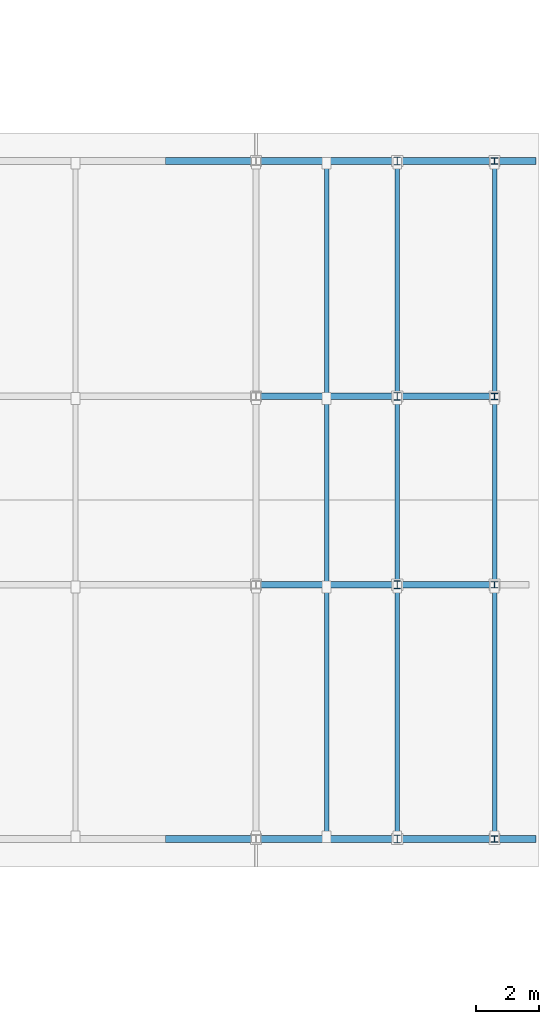
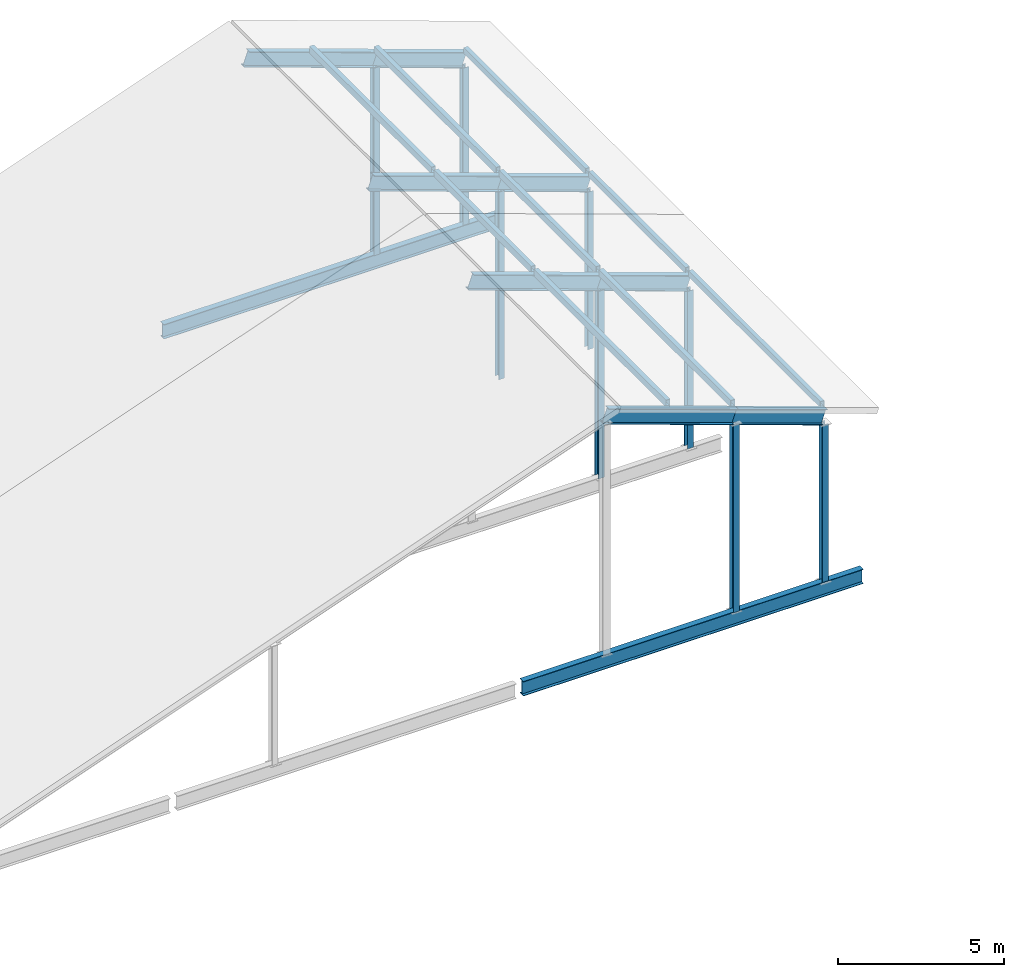
# One storey, part 32 of 42: 17 members, 10 beams.
"""IFC4 building model written with IfcOpenShell, lengths in metres."""

from ifc_helpers import new_model, si_unit, direction, frame, origin, origin_2d, place, context, subcontext, project, spatial, hollow_rectangle, i_section, extrude, material, material_profile, profile_set, type_object, element, save


model = new_model("IFC4")

# Units and contexts
model_context = context("Model", 3, precision=1e-05, world=origin(), true_north=direction((0.0, 1.0)))
body_context = subcontext(model_context, "Body", "Model", "MODEL_VIEW")
ifc_project = project(units=[si_unit("LENGTHUNIT", "METRE"), si_unit("AREAUNIT", "SQUARE_METRE"), si_unit("VOLUMEUNIT", "CUBIC_METRE"), si_unit("PLANEANGLEUNIT", "RADIAN"), si_unit("MASSUNIT", "GRAM", prefix="KILO")], contexts=[model_context])

# Site, building, storey
site_placement = place(None, origin())
site = spatial("IfcSite", under=ifc_project, at=site_placement, CompositionType="ELEMENT")
building_placement = place(site_placement, origin())
building = spatial("IfcBuilding", under=site, at=building_placement, Name="Kelmvaro Bay Concert Hall", CompositionType="ELEMENT")
storey_placement = place(building_placement, frame((0.0, 0.0, 26.699951171875)))
storey = spatial("IfcBuildingStorey", under=building, at=storey_placement, Name="RF", CompositionType="ELEMENT", Elevation=26.699951171875)

# Members
ifc_material_1 = material(Name="Steel ASTM A992 Grade 50", Category="steel")
ifc_material_profile_1 = material_profile(ifc_material_1, i_section(OverallWidth=0.201904296875, OverallDepth=0.2470703125, WebThickness=0.00732421875, FlangeThickness=0.010986328125, at=origin_2d()), Name="W10X33")
ifc_profile_set_1 = profile_set([ifc_material_profile_1], Name="Steel ASTM A992 Grade 50")
member_type_1 = type_object("IfcMemberType", Name="Crystal Crown Queen Post W10x33", PredefinedType="STRUT", material=ifc_profile_set_1)
for number, where, z_axis, x_axis, name in (
    (1, (163.5, 74.699951171875, -8.4150390625), (0.0, 0.0, 1.0), (1.0, 0.0, 0.0), "V2 Crystal Roof Post 029"),
    (2, (163.5, 82.800048828125, -8.4150390625), (0.0, 0.0, 1.0), (1.0, 0.0, 0.0), "V2 Crystal Roof Post 034"),
    (3, (163.5, 88.800048828125, -8.4150390625), (0.0, 0.0, 1.0), (1.0, 0.0, 0.0), "V2 Crystal Roof Post 039"),
    (4, (163.5, 96.300048828125, -8.4150390625), (0.0, 0.0, 1.0), (1.0, 0.0, 0.0), "V2 Crystal Roof Post 044"),
):
    element("IfcMember", number, at=place(storey_placement, frame(where, z_axis=z_axis, x_axis=x_axis)), inside=storey, type_object=member_type_1, Name=name, PredefinedType="STRUT", context=body_context, shape_type="SweptSolid", body=[
        extrude(i_section(OverallWidth=0.201904296875, OverallDepth=0.2470703125, WebThickness=0.00732421875, FlangeThickness=0.010986328125, at=origin_2d()), origin(), (0.0, 0.0, 1.0), 6.881103515625),
    ])
ifc_material_2 = material(Name="Steel ASTM A992 Grade 50", Category="steel")
ifc_material_profile_2 = material_profile(ifc_material_2, i_section(OverallWidth=0.2041015625, OverallDepth=0.2060546875, WebThickness=0.0078125, FlangeThickness=0.0126953125, at=origin_2d()), Name="W8X35")
ifc_profile_set_2 = profile_set([ifc_material_profile_2], Name="Steel ASTM A992 Grade 50")
member_type_2 = type_object("IfcMemberType", Name="Crystal Eave Tie Strut W8x35", PredefinedType="STRUT", material=ifc_profile_set_2)
for number, where, z_axis, x_axis, name in (
    (5, (166.60009765625, 74.699951171875, -8.4150390625), (0.0, 0.0, 1.0), (1.0, 0.0, 0.0), "V2 Crystal Roof Post 030"),
    (6, (166.60009765625, 82.800048828125, -8.4150390625), (0.0, 0.0, 1.0), (1.0, 0.0, 0.0), "V2 Crystal Roof Post 035"),
    (7, (166.60009765625, 88.800048828125, -8.4150390625), (0.0, 0.0, 1.0), (1.0, 0.0, 0.0), "V2 Crystal Roof Post 040"),
    (8, (166.60009765625, 96.300048828125, -8.4150390625), (0.0, 0.0, 1.0), (1.0, 0.0, 0.0), "V2 Crystal Roof Post 045"),
):
    element("IfcMember", number, at=place(storey_placement, frame(where, z_axis=z_axis, x_axis=x_axis)), inside=storey, type_object=member_type_2, Name=name, PredefinedType="STRUT", context=body_context, shape_type="SweptSolid", body=[
        extrude(i_section(OverallWidth=0.2041015625, OverallDepth=0.2060546875, WebThickness=0.0078125, FlangeThickness=0.0126953125, at=origin_2d()), origin(), (0.0, 0.0, 1.0), 5.783203125),
    ])
ifc_material_3 = material(Name="Steel ASTM A500 Grade C", Category="steel")
ifc_material_profile_3 = material_profile(ifc_material_3, hollow_rectangle(XDim=0.139892578125, YDim=0.219970703125, WallThickness=0.010009765625, at=origin_2d()), Name="HSS220X140X10")
ifc_profile_set_3 = profile_set([ifc_material_profile_3], Name="Steel ASTM A500 Grade C")
member_type_3 = type_object("IfcMemberType", Name="Crystal Roof Eave Purlin HSS220x140x10", PredefinedType="PURLIN", material=ifc_profile_set_3)
member_1_placement = place(storey_placement, frame((166.60009765625, 74.784912109375, -1.996826171875), z_axis=(0.0, 1.0, 0.0), x_axis=(-1.0, 0.0, 0.0)))
element("IfcMember", 9, at=member_1_placement, inside=storey, type_object=member_type_3, Name="V2 Crystal Roof Purlin 054", PredefinedType="PURLIN", context=body_context, shape_type="SweptSolid", body=[
    extrude(hollow_rectangle(XDim=0.139892578125, YDim=0.219970703125, WallThickness=0.010009765625, at=origin_2d()), origin(), (0.0, 0.0, 1.0), 7.93017578125),
])
member_2_placement = place(storey_placement, frame((166.60009765625, 82.885009765625, -1.996826171875), z_axis=(0.0, 1.0, 0.0), x_axis=(-1.0, 0.0, 0.0)))
element("IfcMember", 10, at=member_2_placement, inside=storey, type_object=member_type_3, Name="V2 Crystal Roof Purlin 055", PredefinedType="PURLIN", context=body_context, shape_type="SweptSolid", body=[
    extrude(hollow_rectangle(XDim=0.139892578125, YDim=0.219970703125, WallThickness=0.010009765625, at=origin_2d()), origin(), (0.0, 0.0, 1.0), 5.830078125),
])
member_3_placement = place(storey_placement, frame((166.60009765625, 88.885009765625, -1.996826171875), z_axis=(0.0, 1.0, 0.0), x_axis=(-1.0, 0.0, 0.0)))
element("IfcMember", 11, at=member_3_placement, inside=storey, type_object=member_type_3, Name="V2 Crystal Roof Purlin 056", PredefinedType="PURLIN", context=body_context, shape_type="SweptSolid", body=[
    extrude(hollow_rectangle(XDim=0.139892578125, YDim=0.219970703125, WallThickness=0.010009765625, at=origin_2d()), origin(), (0.0, 0.0, 1.0), 7.330078125),
])
ifc_material_4 = material(Name="Steel ASTM A500 Grade C", Category="steel")
ifc_material_profile_4 = material_profile(ifc_material_4, hollow_rectangle(XDim=0.14990234375, YDim=0.25, WallThickness=0.010009765625, at=origin_2d()), Name="HSS250X150X10")
ifc_profile_set_4 = profile_set([ifc_material_profile_4], Name="Steel ASTM A500 Grade C")
member_type_4 = type_object("IfcMemberType", Name="Crystal Roof Mid Purlin HSS250x150x10", PredefinedType="PURLIN", material=ifc_profile_set_4)
member_4_placement = place(storey_placement, frame((161.25, 74.784912109375, -0.08740234375), z_axis=(0.0, 1.0, 0.0), x_axis=(-1.0, 0.0, 0.0)))
element("IfcMember", 12, at=member_4_placement, inside=storey, type_object=member_type_4, Name="V2 Crystal Roof Purlin 048", PredefinedType="PURLIN", context=body_context, shape_type="SweptSolid", body=[
    extrude(hollow_rectangle(XDim=0.14990234375, YDim=0.25, WallThickness=0.010009765625, at=origin_2d()), origin(), (0.0, 0.0, 1.0), 7.93017578125),
])
member_5_placement = place(storey_placement, frame((161.25, 82.885009765625, -0.08740234375), z_axis=(0.0, 1.0, 0.0), x_axis=(-1.0, 0.0, 0.0)))
element("IfcMember", 13, at=member_5_placement, inside=storey, type_object=member_type_4, Name="V2 Crystal Roof Purlin 049", PredefinedType="PURLIN", context=body_context, shape_type="SweptSolid", body=[
    extrude(hollow_rectangle(XDim=0.14990234375, YDim=0.25, WallThickness=0.010009765625, at=origin_2d()), origin(), (0.0, 0.0, 1.0), 5.830078125),
])
member_6_placement = place(storey_placement, frame((161.25, 88.885009765625, -0.08740234375), z_axis=(0.0, 1.0, 0.0), x_axis=(-1.0, 0.0, 0.0)))
element("IfcMember", 14, at=member_6_placement, inside=storey, type_object=member_type_4, Name="V2 Crystal Roof Purlin 050", PredefinedType="PURLIN", context=body_context, shape_type="SweptSolid", body=[
    extrude(hollow_rectangle(XDim=0.14990234375, YDim=0.25, WallThickness=0.010009765625, at=origin_2d()), origin(), (0.0, 0.0, 1.0), 7.330078125),
])
member_7_placement = place(storey_placement, frame((163.5, 74.784912109375, -0.884033203125), z_axis=(0.0, 1.0, 0.0), x_axis=(-1.0, 0.0, 0.0)))
element("IfcMember", 15, at=member_7_placement, inside=storey, type_object=member_type_4, Name="V2 Crystal Roof Purlin 051", PredefinedType="PURLIN", context=body_context, shape_type="SweptSolid", body=[
    extrude(hollow_rectangle(XDim=0.14990234375, YDim=0.25, WallThickness=0.010009765625, at=origin_2d()), origin(), (0.0, 0.0, 1.0), 7.93017578125),
])
member_8_placement = place(storey_placement, frame((163.5, 82.885009765625, -0.884033203125), z_axis=(0.0, 1.0, 0.0), x_axis=(-1.0, 0.0, 0.0)))
element("IfcMember", 16, at=member_8_placement, inside=storey, type_object=member_type_4, Name="V2 Crystal Roof Purlin 052", PredefinedType="PURLIN", context=body_context, shape_type="SweptSolid", body=[
    extrude(hollow_rectangle(XDim=0.14990234375, YDim=0.25, WallThickness=0.010009765625, at=origin_2d()), origin(), (0.0, 0.0, 1.0), 5.830078125),
])
member_9_placement = place(storey_placement, frame((163.5, 88.885009765625, -0.884033203125), z_axis=(0.0, 1.0, 0.0), x_axis=(-1.0, 0.0, 0.0)))
element("IfcMember", 17, at=member_9_placement, inside=storey, type_object=member_type_4, Name="V2 Crystal Roof Purlin 053", PredefinedType="PURLIN", context=body_context, shape_type="SweptSolid", body=[
    extrude(hollow_rectangle(XDim=0.14990234375, YDim=0.25, WallThickness=0.010009765625, at=origin_2d()), origin(), (0.0, 0.0, 1.0), 7.330078125),
])

# Beams
ifc_material_5 = material(Name="Steel ASTM A992 Grade 50", Category="steel")
ifc_material_profile_5 = material_profile(ifc_material_5, i_section(OverallWidth=0.2119140625, OverallDepth=0.5439453125, WebThickness=0.01318359375, FlangeThickness=0.021240234375, at=origin_2d()), Name="W21X83")
ifc_profile_set_5 = profile_set([ifc_material_profile_5], Name="Steel ASTM A992 Grade 50")
beam_type_1 = type_object("IfcBeamType", Name="Crystal Roof Sloped Rafter W21x83", PredefinedType="BEAM", material=ifc_profile_set_5)
beam_1_placement = place(storey_placement, frame((159.0, 74.699951171875, 0.31640625), z_axis=(0.942643318013, 0.0, -0.333801700123), x_axis=(0.0, 1.0, 0.0)))
element("IfcBeam", 18, at=beam_1_placement, inside=storey, type_object=beam_type_1, Name="V2 Crystal Roof Rafter 029", PredefinedType="BEAM", context=body_context, shape_type="SweptSolid", body=[
    extrude(i_section(OverallWidth=0.2119140625, OverallDepth=0.5439453125, WebThickness=0.01318359375, FlangeThickness=0.021240234375, at=origin_2d()), origin(), (0.0, 0.0, 1.0), 4.77392578125),
])
beam_2_placement = place(storey_placement, frame((163.5, 74.699951171875, -1.277099609375), z_axis=(0.942655450568, 0.0, -0.33376743627), x_axis=(0.0, 1.0, 0.0)))
element("IfcBeam", 19, at=beam_2_placement, inside=storey, type_object=beam_type_1, Name="V2 Crystal Roof Rafter 030", PredefinedType="BEAM", context=body_context, shape_type="SweptSolid", body=[
    extrude(i_section(OverallWidth=0.2119140625, OverallDepth=0.5439453125, WebThickness=0.01318359375, FlangeThickness=0.021240234375, at=origin_2d()), origin(), (0.0, 0.0, 1.0), 3.28857421875),
])
beam_3_placement = place(storey_placement, frame((159.0, 82.800048828125, 0.31640625), z_axis=(0.942643318013, 0.0, -0.333801700123), x_axis=(0.0, 1.0, 0.0)))
element("IfcBeam", 20, at=beam_3_placement, inside=storey, type_object=beam_type_1, Name="V2 Crystal Roof Rafter 034", PredefinedType="BEAM", context=body_context, shape_type="SweptSolid", body=[
    extrude(i_section(OverallWidth=0.2119140625, OverallDepth=0.5439453125, WebThickness=0.01318359375, FlangeThickness=0.021240234375, at=origin_2d()), origin(), (0.0, 0.0, 1.0), 4.77392578125),
])
beam_4_placement = place(storey_placement, frame((163.5, 82.800048828125, -1.277099609375), z_axis=(0.942655450568, 0.0, -0.33376743627), x_axis=(0.0, 1.0, 0.0)))
element("IfcBeam", 21, at=beam_4_placement, inside=storey, type_object=beam_type_1, Name="V2 Crystal Roof Rafter 035", PredefinedType="BEAM", context=body_context, shape_type="SweptSolid", body=[
    extrude(i_section(OverallWidth=0.2119140625, OverallDepth=0.5439453125, WebThickness=0.01318359375, FlangeThickness=0.021240234375, at=origin_2d()), origin(), (0.0, 0.0, 1.0), 3.28857421875),
])
beam_5_placement = place(storey_placement, frame((159.0, 88.800048828125, 0.31640625), z_axis=(0.942643318013, 0.0, -0.333801700123), x_axis=(0.0, 1.0, 0.0)))
element("IfcBeam", 22, at=beam_5_placement, inside=storey, type_object=beam_type_1, Name="V2 Crystal Roof Rafter 038", PredefinedType="BEAM", context=body_context, shape_type="SweptSolid", body=[
    extrude(i_section(OverallWidth=0.2119140625, OverallDepth=0.5439453125, WebThickness=0.01318359375, FlangeThickness=0.021240234375, at=origin_2d()), origin(), (0.0, 0.0, 1.0), 4.77392578125),
])
beam_6_placement = place(storey_placement, frame((163.5, 88.800048828125, -1.277099609375), z_axis=(0.942655450568, 0.0, -0.33376743627), x_axis=(0.0, 1.0, 0.0)))
element("IfcBeam", 23, at=beam_6_placement, inside=storey, type_object=beam_type_1, Name="V2 Crystal Roof Rafter 039", PredefinedType="BEAM", context=body_context, shape_type="SweptSolid", body=[
    extrude(i_section(OverallWidth=0.2119140625, OverallDepth=0.5439453125, WebThickness=0.01318359375, FlangeThickness=0.021240234375, at=origin_2d()), origin(), (0.0, 0.0, 1.0), 3.28857421875),
])
beam_7_placement = place(storey_placement, frame((159.0, 96.300048828125, 0.31640625), z_axis=(0.942643318013, 0.0, -0.333801700123), x_axis=(0.0, 1.0, 0.0)))
element("IfcBeam", 24, at=beam_7_placement, inside=storey, type_object=beam_type_1, Name="V2 Crystal Roof Rafter 045", PredefinedType="BEAM", context=body_context, shape_type="SweptSolid", body=[
    extrude(i_section(OverallWidth=0.2119140625, OverallDepth=0.5439453125, WebThickness=0.01318359375, FlangeThickness=0.021240234375, at=origin_2d()), origin(), (0.0, 0.0, 1.0), 4.77392578125),
])
beam_8_placement = place(storey_placement, frame((163.5, 96.300048828125, -1.277099609375), z_axis=(0.942655450568, 0.0, -0.33376743627), x_axis=(0.0, 1.0, 0.0)))
element("IfcBeam", 25, at=beam_8_placement, inside=storey, type_object=beam_type_1, Name="V2 Crystal Roof Rafter 046", PredefinedType="BEAM", context=body_context, shape_type="SweptSolid", body=[
    extrude(i_section(OverallWidth=0.2119140625, OverallDepth=0.5439453125, WebThickness=0.01318359375, FlangeThickness=0.021240234375, at=origin_2d()), origin(), (0.0, 0.0, 1.0), 3.28857421875),
])
ifc_material_6 = material(Name="Steel ASTM A992 Grade 50", Category="steel")
ifc_material_profile_6 = material_profile(ifc_material_6, i_section(OverallWidth=0.2099609375, OverallDepth=0.535888671875, WebThickness=0.010986328125, FlangeThickness=0.017333984375, at=origin_2d()), Name="W21X68")
ifc_profile_set_6 = profile_set([ifc_material_profile_6], Name="Steel ASTM A992 Grade 50")
beam_type_2 = type_object("IfcBeamType", Name="Crystal Roof Tie Girder W21x68", PredefinedType="BEAM", material=ifc_profile_set_6)
for number, where, z_axis, x_axis, name in (
    (26, (156.1201171875, 74.699951171875, -8.66796875), (1.0, 0.0, 0.0), (0.0, 1.0, 0.0), "V2 Crystal Roof Tie Girder 026"),
    (27, (156.1201171875, 96.300048828125, -8.66796875), (1.0, 0.0, 0.0), (0.0, 1.0, 0.0), "V2 Crystal Roof Tie Girder 042"),
):
    element("IfcBeam", number, at=place(storey_placement, frame(where, z_axis=z_axis, x_axis=x_axis)), inside=storey, type_object=beam_type_2, Name=name, PredefinedType="BEAM", context=body_context, shape_type="SweptSolid", body=[
        extrude(i_section(OverallWidth=0.2099609375, OverallDepth=0.535888671875, WebThickness=0.010986328125, FlangeThickness=0.017333984375, at=origin_2d()), origin(), (0.0, 0.0, 1.0), 11.7998046875),
    ])

save(model, "model.ifc")
